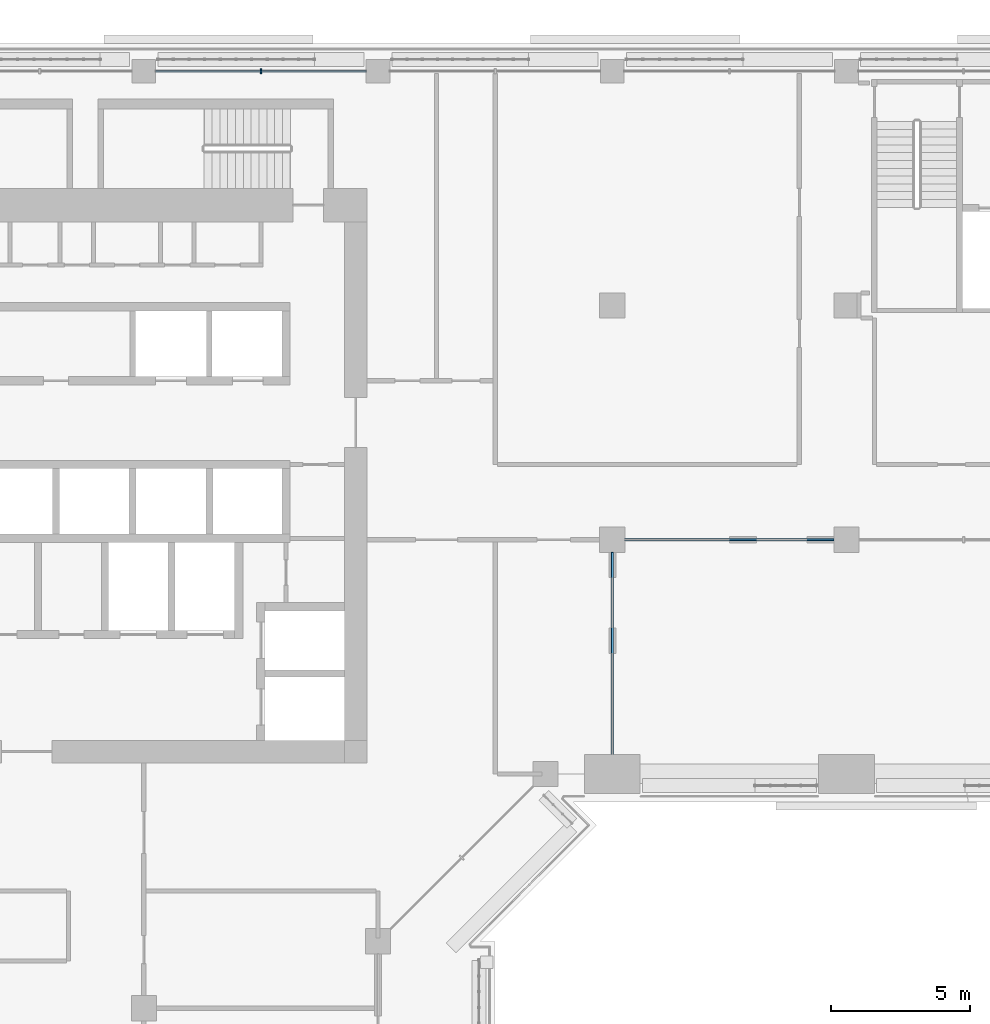
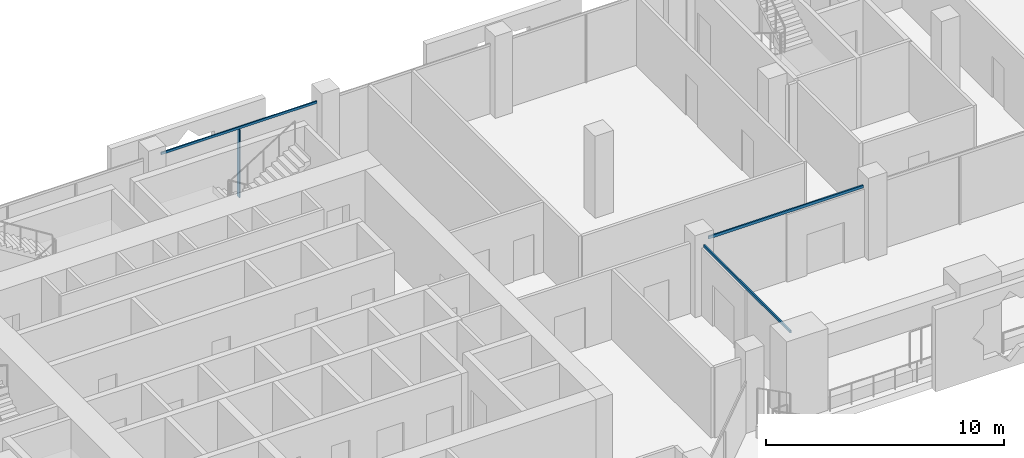
# One storey, part 7 of 24: 4 members, 3 elements without a shape of their own.
"""IFC4 building model written with IfcOpenShell, lengths in metres."""

from ifc_helpers import new_model, si_unit, direction, frame, origin, origin_2d, place, context, subcontext, project, spatial, rectangle, extrude, material, layer, layer_set, material_profile, profile_set, type_object, element, aggregate, save


model = new_model("IFC4")

# Units and contexts
model_context = context("Model", 3, precision=1e-05, world=origin(), true_north=direction((0.0, 1.0)))
body_context = subcontext(model_context, "Body", "Model", "MODEL_VIEW")
ifc_project = project(units=[si_unit("LENGTHUNIT", "METRE"), si_unit("AREAUNIT", "SQUARE_METRE"), si_unit("VOLUMEUNIT", "CUBIC_METRE"), si_unit("PLANEANGLEUNIT", "RADIAN"), si_unit("MASSUNIT", "GRAM", prefix="KILO")], contexts=[model_context])

# Site, building, storey
site_placement = place(None, origin())
site = spatial("IfcSite", under=ifc_project, at=site_placement, CompositionType="ELEMENT")
building_placement = place(site_placement, origin())
building = spatial("IfcBuilding", under=site, at=building_placement, Name="Kawkab Arch Medical Tower", CompositionType="ELEMENT")
storey_placement = place(building_placement, frame((0.0, 0.0, 218.0)))
storey = spatial("IfcBuildingStorey", under=building, at=storey_placement, Name="L50", CompositionType="ELEMENT", Elevation=218.0)

# Curtain wall, members
ifc_material_1 = material(Name="Bronze anodised aluminium curtain wall frame", Category="aluminium")
ifc_layer_1 = layer(ifc_material_1, 0.159912109375)
ifc_layer_set_1 = layer_set([ifc_layer_1], Name="Bronze anodised aluminium curtain wall frame")
curtain_wall_type_1 = type_object("IfcCurtainWallType", Name="CW1 ward curtain wall", PredefinedType="NOTDEFINED", material=ifc_layer_set_1)
placement = place(storey_placement, origin())
curtain_wall_1 = element("IfcCurtainWall", 1, at=placement, inside=storey, type_object=curtain_wall_type_1, Name="CW1 Ward curtain wall R09", PredefinedType="NOTDEFINED")
ifc_material_2 = material(Name="Bronze anodised aluminium curtain wall frame", Category="aluminium")
ifc_material_profile_1 = material_profile(ifc_material_2, rectangle(XDim=0.179931640625, YDim=0.06005859375, at=origin_2d()), Name="AL 60x180")
ifc_profile_set_1 = profile_set([ifc_material_profile_1], Name="Bronze anodised aluminium curtain wall frame")
member_type_1 = type_object("IfcMemberType", Name="CW1 mullion 60 x 180", PredefinedType="MULLION", material=ifc_profile_set_1)
member_1_placement = place(storey_placement, frame((21.0, 0.0, 0.0), z_axis=(0.0, 0.0, 1.0), x_axis=(0.0, -1.0, 0.0)))
member_1 = element("IfcMember", 2, at=member_1_placement, type_object=member_type_1, Name="CW1 mullion 5.1", PredefinedType="MULLION", context=body_context, shape_type="SweptSolid", body=[
    extrude(rectangle(XDim=0.179931640625, YDim=0.06005859375, at=origin_2d()), origin(), (0.0, 0.0, 1.0), 3.47998046875),
])
ifc_material_3 = material(Name="Bronze anodised aluminium curtain wall frame", Category="aluminium")
ifc_material_profile_2 = material_profile(ifc_material_3, rectangle(XDim=0.06005859375, YDim=0.1201171875, at=origin_2d()), Name="AL 60x120")
ifc_profile_set_2 = profile_set([ifc_material_profile_2], Name="Bronze anodised aluminium curtain wall frame")
member_type_2 = type_object("IfcMemberType", Name="CW1 transom 120 x 60", PredefinedType="USERDEFINED", material=ifc_profile_set_2)
member_2_placement = place(storey_placement, frame((24.77490234375, 0.0, 3.5400390625), z_axis=(-1.0, 0.0, 0.0), x_axis=(0.0, -1.0, 0.0)))
member_2 = element("IfcMember", 3, at=member_2_placement, type_object=member_type_2, Name="CW1 transom 5", ObjectType="TRANSOM", PredefinedType="USERDEFINED", context=body_context, shape_type="SweptSolid", body=[
    extrude(rectangle(XDim=0.06005859375, YDim=0.1201171875, at=origin_2d()), origin(), (0.0, 0.0, 1.0), 7.5498046875),
])
aggregate(curtain_wall_1, [member_2, member_1])

# Curtain wall, member
ifc_material_4 = material(Name="Bronze anodised aluminium curtain wall frame", Category="aluminium")
ifc_layer_2 = layer(ifc_material_4, 0.159912109375)
ifc_layer_set_2 = layer_set([ifc_layer_2], Name="Bronze anodised aluminium curtain wall frame")
curtain_wall_type_2 = type_object("IfcCurtainWallType", Name="CW3 sky garden curtain wall", PredefinedType="NOTDEFINED", material=ifc_layer_set_2)
curtain_wall_2 = element("IfcCurtainWall", 4, at=placement, inside=storey, type_object=curtain_wall_type_2, Name="CW3 Sky garden curtain wall R02", PredefinedType="NOTDEFINED")
ifc_material_5 = material(Name="Bronze anodised aluminium curtain wall frame", Category="aluminium")
ifc_material_profile_3 = material_profile(ifc_material_5, rectangle(XDim=0.070068359375, YDim=0.139892578125, at=origin_2d()), Name="AL 70x140")
ifc_profile_set_3 = profile_set([ifc_material_profile_3], Name="Bronze anodised aluminium curtain wall frame")
member_type_3 = type_object("IfcMemberType", Name="CW3 transom 140 x 70", PredefinedType="USERDEFINED", material=ifc_profile_set_3)
member_3_placement = place(storey_placement, frame((33.60009765625, -24.5, 3.530029296875), z_axis=(0.0, 1.0, 0.0), x_axis=(-1.0, 0.0, 0.0)))
member_3 = element("IfcMember", 5, at=member_3_placement, type_object=member_type_3, Name="CW3 transom 1", ObjectType="TRANSOM", PredefinedType="USERDEFINED", context=body_context, shape_type="SweptSolid", body=[
    extrude(rectangle(XDim=0.070068359375, YDim=0.139892578125, at=origin_2d()), origin(), (0.0, 0.0, 1.0), 7.25),
])
aggregate(curtain_wall_2, [member_3])

curtain_wall_3 = element("IfcCurtainWall", 6, at=placement, inside=storey, type_object=curtain_wall_type_2, Name="CW3 Sky garden curtain wall R03", PredefinedType="NOTDEFINED")
member_4_placement = place(storey_placement, frame((34.050048828125, -16.800048828125, 3.530029296875), z_axis=(1.0, 0.0, 0.0), x_axis=(0.0, 1.0, 0.0)))
member_4 = element("IfcMember", 7, at=member_4_placement, type_object=member_type_3, Name="CW3 transom 1", ObjectType="TRANSOM", PredefinedType="USERDEFINED", context=body_context, shape_type="SweptSolid", body=[
    extrude(rectangle(XDim=0.070068359375, YDim=0.139892578125, at=origin_2d()), origin(), (0.0, 0.0, 1.0), 7.5),
])
aggregate(curtain_wall_3, [member_4])

save(model, "model.ifc")
